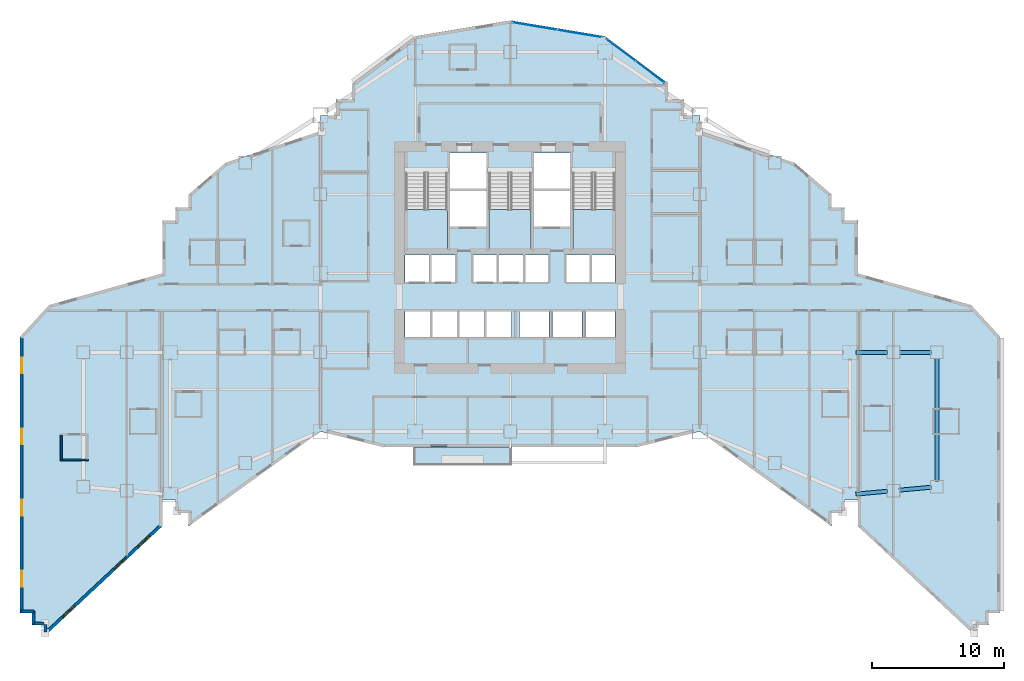
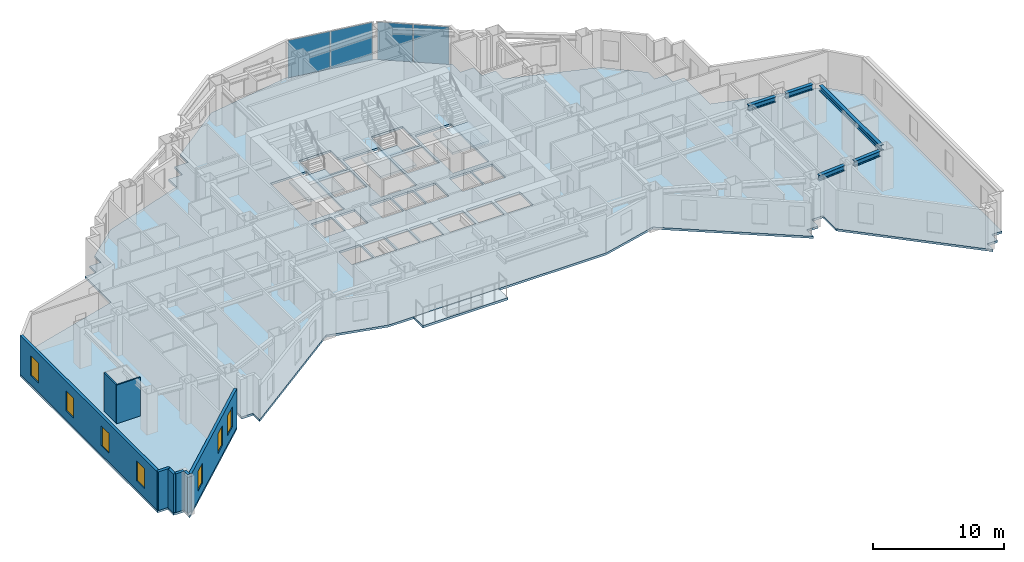
# One storey, part 6 of 16: 8 walls, 7 windows, 5 beams, 5 slabs, 4 plates, 7 openings, 5 elements without a shape of their own.
"""IFC4 building model written with IfcOpenShell, lengths in metres."""

from ifc_helpers import new_model, si_unit, direction, frame, frame_2d, origin, origin_2d, place, context, subcontext, project, spatial, polyline, rectangle, i_section, outline, extrude, material, layer, layer_set, material_profile, profile_set, type_object, element, fill, aggregate, save


model = new_model("IFC4")

# Units and contexts
model_context = context("Model", 3, precision=1e-05, world=origin(), true_north=direction((0.0, 1.0)))
body_context = subcontext(model_context, "Body", "Model", "MODEL_VIEW")
ifc_project = project(units=[si_unit("LENGTHUNIT", "METRE"), si_unit("AREAUNIT", "SQUARE_METRE"), si_unit("VOLUMEUNIT", "CUBIC_METRE"), si_unit("PLANEANGLEUNIT", "RADIAN"), si_unit("MASSUNIT", "GRAM", prefix="KILO")], contexts=[model_context])

# Site, building, storey
site_placement = place(None, origin())
site = spatial("IfcSite", under=ifc_project, at=site_placement, CompositionType="ELEMENT")
building_placement = place(site_placement, origin())
building = spatial("IfcBuilding", under=site, at=building_placement, Name="Haolan Belvedere Tower", CompositionType="ELEMENT")
storey_placement = place(building_placement, frame((0.0, 0.0, 78.0)))
storey = spatial("IfcBuildingStorey", under=building, at=storey_placement, Name="L19", CompositionType="ELEMENT", Elevation=78.0)

# Beams
ifc_material_1 = material(Name="Steel Q355B", Category="steel")
ifc_material_profile = material_profile(ifc_material_1, i_section(OverallWidth=0.300048828125, OverallDepth=0.488037109375, WebThickness=0.010986328125, FlangeThickness=0.01806640625, FilletRadius=0.02587890625, at=origin_2d()), Name="Steel Q355B")
ifc_profile_set = profile_set([ifc_material_profile], Name="Steel Q355B")
beam_type = type_object("IfcBeamType", Name="BM-HM488x300x11x18", PredefinedType="SPANDREL", material=ifc_profile_set)
beam_placement = place(storey_placement, frame((70.800048828125, 17.85009765625, 3.35595703125), z_axis=(0.0, 1.0, 0.0), x_axis=(-1.0, 0.0, 0.0)))
element("IfcBeam", 1, at=beam_placement, inside=storey, type_object=beam_type, Name="L19 spandrel girder MC-T5-SE-MC-T5-NE", PredefinedType="SPANDREL", context=body_context, shape_type="SweptSolid", body=[
    extrude(i_section(OverallWidth=0.300048828125, OverallDepth=0.488037109375, WebThickness=0.010986328125, FlangeThickness=0.01806640625, FilletRadius=0.02587890625, at=origin_2d()), origin(), (0.0, 0.0, 1.0), 9.2998046875),
])
for number, where, z_axis, x_axis, name in (
    (2, (64.648193359375, 16.8408203125, 3.35595703125), (0.995893206468, 0.090535746043, 0.0), (-0.090535746043, 0.995893206468, 0.0), "L19 spandrel girder MC-T4-SE-TC-T5-M1"),
    (3, (67.9482421875, 17.140625, 3.35595703125), (0.995884080761, 0.090636072764, 0.0), (-0.090636072764, 0.995884080761, 0.0), "L19 spandrel girder TC-T5-M1-MC-T5-SE"),
):
    element("IfcBeam", number, at=place(storey_placement, frame(where, z_axis=z_axis, x_axis=x_axis)), inside=storey, type_object=beam_type, Name=name, PredefinedType="SPANDREL", context=body_context, shape_type="SweptSolid", body=[
        extrude(i_section(OverallWidth=0.300048828125, OverallDepth=0.488037109375, WebThickness=0.010986328125, FlangeThickness=0.01806640625, FilletRadius=0.02587890625, at=origin_2d()), origin(), (0.0, 0.0, 1.0), 2.41357421875),
    ])
for number, where, z_axis, x_axis, name in (
    (4, (64.64990234375, 27.60009765625, 3.35595703125), (1.0, 0.0, 0.0), (0.0, 1.0, 0.0), "L19 spandrel girder MC-T4-ME-TC-T5-M2"),
    (5, (67.949951171875, 27.60009765625, 3.35595703125), (1.0, 0.0, 0.0), (0.0, 1.0, 0.0), "L19 spandrel girder TC-T5-M2-MC-T5-NE"),
):
    element("IfcBeam", number, at=place(storey_placement, frame(where, z_axis=z_axis, x_axis=x_axis)), inside=storey, type_object=beam_type, Name=name, PredefinedType="SPANDREL", context=body_context, shape_type="SweptSolid", body=[
        extrude(i_section(OverallWidth=0.300048828125, OverallDepth=0.488037109375, WebThickness=0.010986328125, FlangeThickness=0.01806640625, FilletRadius=0.02587890625, at=origin_2d()), origin(), (0.0, 0.0, 1.0), 2.400146484375),
    ])

# Curtain wall, plates
ifc_material_2 = material(Name="Anodised champagne-silver aluminium 6063-T6 and Low-E glass", Category="aluminium")
ifc_layer_1 = layer(ifc_material_2, 0.1650390625, Name="Anodised champagne-silver aluminium 6063-T6 and Low-E glass")
ifc_layer_set_1 = layer_set([ifc_layer_1], Name="Anodised champagne-silver aluminium 6063-T6 and Low-E glass")
curtain_wall_type = type_object("IfcCurtainWallType", Name="CW-SYS-02", PredefinedType="NOTDEFINED", material=ifc_layer_set_1)
curtain_wall_1_placement = place(storey_placement, origin())
curtain_wall_1 = element("IfcCurtainWall", 6, at=curtain_wall_1_placement, inside=storey, type_object=curtain_wall_type, Name="L19 CW-SYS-02 ribbon curtain wall 41.1", PredefinedType="NOTDEFINED")
ifc_material_3 = material(Name="Double silver Low-E laminated insulating glass", Category="glass")
ifc_layer_2 = layer(ifc_material_3, 0.02587890625, Name="Double silver Low-E laminated insulating glass")
ifc_layer_set_2 = layer_set([ifc_layer_2], Name="Double silver Low-E laminated insulating glass")
plate_type = type_object("IfcPlateType", Name="CW-SYS-02-PNL", PredefinedType="CURTAIN_PANEL", material=ifc_layer_set_2)
plate_1_placement = place(storey_placement, frame((49.02978515625, 48.877685546875, 0.05517578125), z_axis=(0.0, 0.0, 1.0), x_axis=(-0.800004262313, 0.599994316874, 0.0)))
plate_1 = element("IfcPlate", 7, at=plate_1_placement, type_object=plate_type, Name="CW-02 panel 1.1", PredefinedType="CURTAIN_PANEL", context=body_context, shape_type="SweptSolid", body=[
    extrude(rectangle(XDim=2.725341796875, YDim=0.02587890625, at=origin_2d()), origin(), (0.0, 0.0, 1.0), 3.489990234375),
])
plate_2_placement = place(storey_placement, frame((46.801513671875, 50.548828125, 0.05517578125), z_axis=(0.0, 0.0, 1.0), x_axis=(-0.800004262313, 0.599994316874, 0.0)))
plate_2 = element("IfcPlate", 8, at=plate_2_placement, type_object=plate_type, Name="CW-02 panel 2.1", PredefinedType="CURTAIN_PANEL", context=body_context, shape_type="SweptSolid", body=[
    extrude(rectangle(XDim=2.725341796875, YDim=0.02587890625, at=origin_2d()), origin(), (0.0, 0.0, 1.0), 3.489990234375),
])
aggregate(curtain_wall_1, [plate_1, plate_2])

curtain_wall_2_placement = place(storey_placement, origin())
curtain_wall_2 = element("IfcCurtainWall", 9, at=curtain_wall_2_placement, inside=storey, type_object=curtain_wall_type, Name="L19 CW-SYS-02 ribbon curtain wall 42.1", PredefinedType="NOTDEFINED")
plate_3_placement = place(storey_placement, frame((43.6796875, 51.79833984375, 0.05517578125), z_axis=(0.0, 0.0, 1.0), x_axis=(-0.9863931483, 0.16440364043, 0.0)))
plate_3 = element("IfcPlate", 10, at=plate_3_placement, type_object=plate_type, Name="CW-02 panel 1.1", PredefinedType="CURTAIN_PANEL", context=body_context, shape_type="SweptSolid", body=[
    extrude(rectangle(XDim=3.39501953125, YDim=0.02587890625, at=origin_2d()), origin(), (0.0, 0.0, 1.0), 3.489990234375),
])
plate_4_placement = place(storey_placement, frame((40.271728515625, 52.366455078125, 0.05517578125), z_axis=(0.0, 0.0, 1.0), x_axis=(-0.9863931483, 0.16440364043, 0.0)))
plate_4 = element("IfcPlate", 11, at=plate_4_placement, type_object=plate_type, Name="CW-02 panel 2.1", PredefinedType="CURTAIN_PANEL", context=body_context, shape_type="SweptSolid", body=[
    extrude(rectangle(XDim=3.39501953125, YDim=0.02587890625, at=origin_2d()), origin(), (0.0, 0.0, 1.0), 3.489990234375),
])
aggregate(curtain_wall_2, [plate_3, plate_4])

# Slabs
ifc_material_4 = material(Name="Concrete C40/50", Category="concrete")
ifc_layer_3 = layer(ifc_material_4, 0.2099609375, Name="Concrete C40/50")
ifc_layer_set_3 = layer_set([ifc_layer_3], Name="Concrete C40/50")
slab_type_1 = type_object("IfcSlabType", Name="SL-BAL-210", PredefinedType="FLOOR", material=ifc_layer_set_3)
slab_1_placement = place(storey_placement, frame((0.0, 0.0, -0.22998046875)))
element("IfcSlab", 12, at=slab_1_placement, inside=storey, type_object=slab_type_1, Name="L19 structural tree-planter balcony slab BAL-L19-S1", PredefinedType="FLOOR", context=body_context, shape_type="SweptSolid", body=[
    extrude(outline(polyline([(31.050048828125, 19.02001953125), (38.550048828125, 19.02001953125), (38.550048828125, 20.39990234375), (31.050048828125, 20.39990234375), (31.050048828125, 19.02001953125)])), origin(), (0.0, 0.0, 1.0), 0.2099609375),
])
ifc_layer_4 = layer(ifc_material_4, 0.199951171875, Name="Concrete C40/50")
ifc_layer_set_4 = layer_set([ifc_layer_4], Name="Concrete C40/50")
slab_type_2 = type_object("IfcSlabType", Name="SL-FLR-200", PredefinedType="FLOOR", material=ifc_layer_set_4)
slab_2_placement = place(storey_placement, frame((0.0, 0.0, -0.199951171875)))
element("IfcSlab", 13, at=slab_2_placement, inside=storey, type_object=slab_type_2, Name="L19 structural floor slab", PredefinedType="FLOOR", context=body_context, shape_type="SweptSolid", body=[
    extrude(outline(polyline([(1.199951171875, 28.800048828125), (1.199951171875, 8.39990234375), (1.199951171875, 7.800048828125), (2.10009765625, 7.800048828125), (2.10009765625, 6.89990234375), (3.0, 6.89990234375), (3.0, 6.0), (12.0, 14.39990234375), (12.0, 16.39990234375), (13.0, 16.39990234375), (13.0, 15.39990234375), (14.0, 15.39990234375), (14.0, 14.39990234375), (24.0, 21.60009765625), (28.800048828125, 20.39990234375), (48.0, 20.39990234375), (52.800048828125, 21.60009765625), (62.800048828125, 14.39990234375), (62.800048828125, 15.39990234375), (63.800048828125, 15.39990234375), (63.800048828125, 16.39990234375), (64.800048828125, 16.39990234375), (64.800048828125, 14.39990234375), (73.800048828125, 6.0), (73.800048828125, 6.89990234375), (74.699951171875, 6.89990234375), (74.699951171875, 7.800048828125), (75.60009765625, 7.800048828125), (75.60009765625, 28.800048828125), (73.39990234375, 31.199951171875), (64.800048828125, 33.60009765625), (64.800048828125, 37.60009765625), (63.800048828125, 37.60009765625), (63.800048828125, 38.60009765625), (62.800048828125, 38.60009765625), (62.800048828125, 39.60009765625), (60.0, 42.0), (52.800048828125, 44.39990234375), (52.800048828125, 45.60009765625), (51.60009765625, 45.60009765625), (51.60009765625, 46.800048828125), (50.39990234375, 46.800048828125), (50.39990234375, 48.0), (45.60009765625, 51.60009765625), (38.39990234375, 52.800048828125), (31.199951171875, 51.60009765625), (26.39990234375, 48.0), (26.39990234375, 46.800048828125), (25.199951171875, 46.800048828125), (25.199951171875, 45.60009765625), (24.0, 45.60009765625), (24.0, 44.39990234375), (16.800048828125, 42.0), (14.0, 39.60009765625), (14.0, 38.60009765625), (13.0, 38.60009765625), (13.0, 37.60009765625), (12.0, 37.60009765625), (12.0, 33.60009765625), (3.39990234375, 31.199951171875), (1.199951171875, 28.800048828125)]), holes=[polyline([(30.449951171875, 41.22998046875), (30.449951171875, 35.449951171875), (33.6298828125, 35.449951171875), (33.6298828125, 41.22998046875), (30.449951171875, 41.22998046875)]), polyline([(36.81005859375, 41.22998046875), (36.81005859375, 35.449951171875), (39.989990234375, 35.449951171875), (39.989990234375, 41.22998046875), (36.81005859375, 41.22998046875)]), polyline([(43.169921875, 41.22998046875), (43.169921875, 35.449951171875), (46.35009765625, 35.449951171875), (46.35009765625, 41.22998046875), (43.169921875, 41.22998046875)]), polyline([(33.830078125, 40.050048828125), (36.610107421875, 40.050048828125), (36.610107421875, 42.75), (33.830078125, 42.75), (33.830078125, 40.050048828125)]), polyline([(33.830078125, 37.14990234375), (36.610107421875, 37.14990234375), (36.610107421875, 39.85009765625), (33.830078125, 39.85009765625), (33.830078125, 37.14990234375)]), polyline([(40.18994140625, 40.050048828125), (42.969970703125, 40.050048828125), (42.969970703125, 42.75), (40.18994140625, 42.75), (40.18994140625, 40.050048828125)]), polyline([(40.18994140625, 37.14990234375), (42.969970703125, 37.14990234375), (42.969970703125, 39.85009765625), (40.18994140625, 39.85009765625), (40.18994140625, 37.14990234375)]), polyline([(30.419921875, 32.949951171875), (32.27001953125, 32.949951171875), (32.27001953125, 35.0), (30.419921875, 35.0), (30.419921875, 32.949951171875)]), polyline([(32.409912109375, 32.949951171875), (34.260009765625, 32.949951171875), (34.260009765625, 35.0), (32.409912109375, 35.0), (32.409912109375, 32.949951171875)]), polyline([(35.56005859375, 32.949951171875), (37.409912109375, 32.949951171875), (37.409912109375, 35.0), (35.56005859375, 35.0), (35.56005859375, 32.949951171875)]), polyline([(37.550048828125, 32.949951171875), (39.39990234375, 32.949951171875), (39.39990234375, 35.0), (37.550048828125, 35.0), (37.550048828125, 32.949951171875)]), polyline([(39.5400390625, 32.949951171875), (41.389892578125, 32.949951171875), (41.389892578125, 35.0), (39.5400390625, 35.0), (39.5400390625, 32.949951171875)]), polyline([(42.6201171875, 32.949951171875), (44.469970703125, 32.949951171875), (44.469970703125, 35.0), (42.6201171875, 35.0), (42.6201171875, 32.949951171875)]), polyline([(44.580078125, 32.949951171875), (46.3798828125, 32.949951171875), (46.3798828125, 35.0), (44.580078125, 35.0), (44.580078125, 32.949951171875)]), polyline([(30.419921875, 28.75), (32.320068359375, 28.75), (32.320068359375, 30.75), (30.419921875, 30.75), (30.419921875, 28.75)]), polyline([(32.47998046875, 28.75), (34.3798828125, 28.75), (34.3798828125, 30.75), (32.47998046875, 30.75), (32.47998046875, 28.75)]), polyline([(34.5400390625, 28.75), (36.43994140625, 28.75), (36.43994140625, 30.75), (34.5400390625, 30.75), (34.5400390625, 28.75)]), polyline([(36.60009765625, 28.75), (38.5, 28.75), (38.5, 30.75), (36.60009765625, 30.75), (36.60009765625, 28.75)]), polyline([(39.10009765625, 28.75), (41.340087890625, 28.75), (41.340087890625, 30.75), (39.10009765625, 30.75), (39.10009765625, 28.75)]), polyline([(41.610107421875, 28.75), (43.85009765625, 28.75), (43.85009765625, 30.75), (41.610107421875, 30.75), (41.610107421875, 28.75)]), polyline([(44.1201171875, 28.75), (46.360107421875, 28.75), (46.360107421875, 30.75), (44.1201171875, 30.75), (44.1201171875, 28.75)])]), origin(), (0.0, 0.0, 1.0), 0.199951171875),
])

# Stair, slab
stair_type = type_object("IfcStairType", Name="STR-DL-22R-173", PredefinedType="HALF_TURN_STAIR", material=ifc_material_4)
stair_1_placement = place(storey_placement, origin())
stair_1 = element("IfcStair", 14, at=stair_1_placement, inside=storey, type_object=stair_type, Name="L19 Smokeproof Core Exit Stair ST1", PredefinedType="HALF_TURN_STAIR")
ifc_layer_5 = layer(ifc_material_4, 0.199951171875, Name="Concrete C40/50")
ifc_layer_set_5 = layer_set([ifc_layer_5], Name="Concrete C40/50")
slab_type_3 = type_object("IfcSlabType", Name="SL-LAND-200", PredefinedType="LANDING", material=ifc_layer_set_5)
slab_3_placement = place(storey_placement, frame((0.0, 0.0, 1.699951171875)))
slab_3 = element("IfcSlab", 15, at=slab_3_placement, type_object=slab_type_3, Name="ST1 landing 1", PredefinedType="LANDING", context=body_context, shape_type="SweptSolid", body=[
    extrude(outline(polyline([(30.449951171875, 38.429931640625), (30.449951171875, 35.449951171875), (33.6298828125, 35.449951171875), (33.6298828125, 38.429931640625), (30.449951171875, 38.429931640625)])), origin(), (0.0, 0.0, 1.0), 0.199951171875),
])
aggregate(stair_1, [slab_3])

stair_2_placement = place(storey_placement, origin())
stair_2 = element("IfcStair", 16, at=stair_2_placement, inside=storey, type_object=stair_type, Name="L19 Smokeproof Core Exit Stair ST3", PredefinedType="HALF_TURN_STAIR")
slab_4_placement = place(storey_placement, frame((0.0, 0.0, 1.699951171875)))
slab_4 = element("IfcSlab", 17, at=slab_4_placement, type_object=slab_type_3, Name="ST3 landing 1", PredefinedType="LANDING", context=body_context, shape_type="SweptSolid", body=[
    extrude(outline(polyline([(36.81005859375, 38.429931640625), (36.81005859375, 35.449951171875), (39.989990234375, 35.449951171875), (39.989990234375, 38.429931640625), (36.81005859375, 38.429931640625)])), origin(), (0.0, 0.0, 1.0), 0.199951171875),
])
aggregate(stair_2, [slab_4])

stair_3_placement = place(storey_placement, origin())
stair_3 = element("IfcStair", 18, at=stair_3_placement, inside=storey, type_object=stair_type, Name="L19 Smokeproof Core Exit Stair ST2", PredefinedType="HALF_TURN_STAIR")
slab_5_placement = place(storey_placement, frame((0.0, 0.0, 1.699951171875)))
slab_5 = element("IfcSlab", 19, at=slab_5_placement, type_object=slab_type_3, Name="ST2 landing 1", PredefinedType="LANDING", context=body_context, shape_type="SweptSolid", body=[
    extrude(outline(polyline([(43.169921875, 38.429931640625), (43.169921875, 35.449951171875), (46.35009765625, 35.449951171875), (46.35009765625, 38.429931640625), (43.169921875, 38.429931640625)])), origin(), (0.0, 0.0, 1.0), 0.199951171875),
])
aggregate(stair_3, [slab_5])

# Walls
ifc_material_5 = material(Name="Precast concrete C40/50", Category="concrete")
ifc_layer_6 = layer(ifc_material_5, 0.239990234375, Name="Precast concrete C40/50")
ifc_layer_set_6 = layer_set([ifc_layer_6], Name="Precast concrete C40/50")
wall_type_1 = type_object("IfcWallType", Name="WL-EXT-240", PredefinedType="SOLIDWALL", material=ifc_layer_set_6)
for number, where, z_axis, x_axis, name in (
    (20, (1.264892578125, 7.919921875, 0.0), (0.0, 0.0, 1.0), (1.0, 0.0, 0.0), "L19 pale-metal exterior spandrel wall 1.1"),
    (21, (2.219970703125, 7.97509765625, 0.0), (0.0, 0.0, 1.0), (0.0, -1.0, 0.0), "L19 pale-metal exterior spandrel wall 2.1"),
):
    element("IfcWall", number, at=place(storey_placement, frame(where, z_axis=z_axis, x_axis=x_axis)), inside=storey, type_object=wall_type_1, Name=name, PredefinedType="SOLIDWALL", context=body_context, shape_type="SweptSolid", body=[
        extrude(rectangle(XDim=1.010009765625, YDim=0.239990234375, at=frame_2d((0.5048828125, 0.0))), origin(), (0.0, 0.0, 1.0), 3.60009765625),
    ])
wall_1_placement = place(storey_placement, frame((2.300048828125, 7.02001953125, 0.0), z_axis=(0.0, 0.0, 1.0), x_axis=(1.0, 0.0, 0.0)))
element("IfcWall", 22, at=wall_1_placement, inside=storey, type_object=wall_type_1, Name="L19 pale-metal exterior spandrel wall 3.1", PredefinedType="SOLIDWALL", context=body_context, shape_type="SweptSolid", body=[
    extrude(rectangle(XDim=0.73486328125, YDim=0.239990234375, at=frame_2d((0.367431640625, 0.0))), origin(), (0.0, 0.0, 1.0), 3.60009765625),
])
wall_2_placement = place(storey_placement, frame((3.1201171875, 6.93505859375, 0.0), z_axis=(0.0, 0.0, 1.0), x_axis=(0.0, -1.0, 0.0)))
element("IfcWall", 23, at=wall_2_placement, inside=storey, type_object=wall_type_1, Name="L19 pale-metal exterior spandrel wall 4.1", PredefinedType="SOLIDWALL", context=body_context, shape_type="SweptSolid", body=[
    extrude(rectangle(XDim=0.573974609375, YDim=0.239990234375, at=frame_2d((0.287109375, 0.0))), origin(), (0.0, 0.0, 1.0), 3.60009765625),
])

# Wall, openings, windows
wall_3_placement = place(storey_placement, frame((3.269775390625, 6.416015625, 0.0), z_axis=(0.0, 0.0, 1.0), x_axis=(0.731064187858, 0.682308693505, 0.0)))
wall_3 = element("IfcWall", 24, at=wall_3_placement, inside=storey, type_object=wall_type_1, Name="L19 pale-metal exterior spandrel wall 5.1", PredefinedType="SOLIDWALL", context=body_context, shape_type="SweptSolid", body=[
    extrude(rectangle(XDim=11.83251953125, YDim=0.239990234375, at=frame_2d((5.916259765625, 0.0))), origin(), (0.0, 0.0, 1.0), 3.60009765625),
])
opening_1_placement = place(wall_3_placement, frame((1.60009765625, 0.0, 0.85009765625)))
opening_1 = element("IfcOpeningElement", 25, at=opening_1_placement, cuts=wall_3, Name="Opening W-01", PredefinedType="OPENING", context=body_context, shape_type="SweptSolid", body=[
    extrude(rectangle(XDim=1.199951171875, YDim=1.85009765625, at=frame_2d((0.60009765625, 0.925048828125))), frame((0.0, 0.1298828125, 0.0), z_axis=(0.0, -1.0, 0.0), x_axis=(1.0, 0.0, 0.0)), (0.0, 0.0, 1.0), 0.260009765625),
])
opening_2_placement = place(wall_3_placement, frame((6.91162109375, 0.0, 0.85009765625)))
opening_2 = element("IfcOpeningElement", 26, at=opening_2_placement, cuts=wall_3, Name="Opening W-01", PredefinedType="OPENING", context=body_context, shape_type="SweptSolid", body=[
    extrude(rectangle(XDim=1.199951171875, YDim=1.85009765625, at=frame_2d((0.60009765625, 0.925048828125))), frame((0.0, 0.1298828125, 0.0), z_axis=(0.0, -1.0, 0.0), x_axis=(1.0, 0.0, 0.0)), (0.0, 0.0, 1.0), 0.260009765625),
])
opening_3_placement = place(wall_3_placement, frame((9.4208984375, 0.0, 0.85009765625)))
opening_3 = element("IfcOpeningElement", 27, at=opening_3_placement, cuts=wall_3, Name="Opening W-01", PredefinedType="OPENING", context=body_context, shape_type="SweptSolid", body=[
    extrude(rectangle(XDim=1.199951171875, YDim=1.85009765625, at=frame_2d((0.60009765625, 0.925048828125))), frame((0.0, 0.1298828125, 0.0), z_axis=(0.0, -1.0, 0.0), x_axis=(1.0, 0.0, 0.0)), (0.0, 0.0, 1.0), 0.260009765625),
])
ifc_material_6 = material(Name="Anodised aluminium 6063-T6 and Low-E glass", Category="aluminium")
window_type = type_object("IfcWindowType", Name="WN-DECO-Z1", PartitioningType="SINGLE_PANEL", PredefinedType="WINDOW", material=ifc_material_6)
window_1_placement = place(opening_1_placement, origin())
window_1 = element("IfcWindow", 28, at=window_1_placement, inside=storey, type_object=window_type, Name="L19 Art Deco chevron window 1", OverallHeight=1.85009765625, OverallWidth=1.199951171875, PartitioningType="SINGLE_PANEL", PredefinedType="WINDOW", context=body_context, shape_type="SweptSolid", body=[
    extrude(rectangle(XDim=1.199951171875, YDim=1.85009765625, at=frame_2d((0.60009765625, 0.925048828125))), frame((0.0, 0.030029296875, 0.0), z_axis=(0.0, -1.0, 0.0), x_axis=(1.0, 0.0, 0.0)), (0.0, 0.0, 1.0), 0.06005859375),
])
fill(opening_1, window_1)
window_2_placement = place(opening_2_placement, origin())
window_2 = element("IfcWindow", 29, at=window_2_placement, inside=storey, type_object=window_type, Name="L19 Art Deco chevron window 2", OverallHeight=1.85009765625, OverallWidth=1.199951171875, PartitioningType="SINGLE_PANEL", PredefinedType="WINDOW", context=body_context, shape_type="SweptSolid", body=[
    extrude(rectangle(XDim=1.199951171875, YDim=1.85009765625, at=frame_2d((0.60009765625, 0.925048828125))), frame((0.0, 0.030029296875, 0.0), z_axis=(0.0, -1.0, 0.0), x_axis=(1.0, 0.0, 0.0)), (0.0, 0.0, 1.0), 0.06005859375),
])
fill(opening_2, window_2)
window_3_placement = place(opening_3_placement, origin())
window_3 = element("IfcWindow", 30, at=window_3_placement, inside=storey, type_object=window_type, Name="L19 Art Deco guestroom window 4", OverallHeight=1.85009765625, OverallWidth=1.199951171875, PartitioningType="SINGLE_PANEL", PredefinedType="WINDOW", context=body_context, shape_type="SweptSolid", body=[
    extrude(rectangle(XDim=1.199951171875, YDim=1.85009765625, at=frame_2d((0.60009765625, 0.925048828125))), frame((0.0, 0.030029296875, 0.0), z_axis=(0.0, -1.0, 0.0), x_axis=(1.0, 0.0, 0.0)), (0.0, 0.0, 1.0), 0.06005859375),
])
fill(opening_3, window_3)

wall_4_placement = place(storey_placement, frame((1.320068359375, 28.808349609375, 0.0), z_axis=(0.0, 0.0, 1.0), x_axis=(0.0, -1.0, 0.0)))
wall_4 = element("IfcWall", 31, at=wall_4_placement, inside=storey, type_object=wall_type_1, Name="L19 pale-metal exterior spandrel wall 59.1", PredefinedType="SOLIDWALL", context=body_context, shape_type="SweptSolid", body=[
    extrude(rectangle(XDim=20.943359375, YDim=0.239990234375, at=frame_2d((10.4716796875, 0.0))), origin(), (0.0, 0.0, 1.0), 3.60009765625),
])
opening_4_placement = place(wall_4_placement, frame((1.60009765625, 0.0, 0.85009765625)))
opening_4 = element("IfcOpeningElement", 32, at=opening_4_placement, cuts=wall_4, Name="Opening W-01", PredefinedType="OPENING", context=body_context, shape_type="SweptSolid", body=[
    extrude(rectangle(XDim=1.199951171875, YDim=1.85009765625, at=frame_2d((0.60009765625, 0.925048828125))), frame((0.0, 0.1298828125, 0.0), z_axis=(0.0, -1.0, 0.0), x_axis=(1.0, 0.0, 0.0)), (0.0, 0.0, 1.0), 0.260009765625),
])
opening_5_placement = place(wall_4_placement, frame((7.0, 0.0, 0.85009765625)))
opening_5 = element("IfcOpeningElement", 33, at=opening_5_placement, cuts=wall_4, Name="Opening W-01", PredefinedType="OPENING", context=body_context, shape_type="SweptSolid", body=[
    extrude(rectangle(XDim=1.199951171875, YDim=1.85009765625, at=frame_2d((0.60009765625, 0.925048828125))), frame((0.0, 0.1298828125, 0.0), z_axis=(0.0, -1.0, 0.0), x_axis=(1.0, 0.0, 0.0)), (0.0, 0.0, 1.0), 0.260009765625),
])
opening_6_placement = place(wall_4_placement, frame((12.39990234375, 0.0, 0.85009765625)))
opening_6 = element("IfcOpeningElement", 34, at=opening_6_placement, cuts=wall_4, Name="Opening W-01", PredefinedType="OPENING", context=body_context, shape_type="SweptSolid", body=[
    extrude(rectangle(XDim=1.199951171875, YDim=1.85009765625, at=frame_2d((0.60009765625, 0.925048828125))), frame((0.0, 0.1298828125, 0.0), z_axis=(0.0, -1.0, 0.0), x_axis=(1.0, 0.0, 0.0)), (0.0, 0.0, 1.0), 0.260009765625),
])
opening_7_placement = place(wall_4_placement, frame((17.800048828125, 0.0, 0.85009765625)))
opening_7 = element("IfcOpeningElement", 35, at=opening_7_placement, cuts=wall_4, Name="Opening W-01", PredefinedType="OPENING", context=body_context, shape_type="SweptSolid", body=[
    extrude(rectangle(XDim=1.199951171875, YDim=1.85009765625, at=frame_2d((0.60009765625, 0.925048828125))), frame((0.0, 0.1298828125, 0.0), z_axis=(0.0, -1.0, 0.0), x_axis=(1.0, 0.0, 0.0)), (0.0, 0.0, 1.0), 0.260009765625),
])
window_4_placement = place(opening_4_placement, origin())
window_4 = element("IfcWindow", 36, at=window_4_placement, inside=storey, type_object=window_type, Name="L19 Art Deco chevron window 1", OverallHeight=1.85009765625, OverallWidth=1.199951171875, PartitioningType="SINGLE_PANEL", PredefinedType="WINDOW", context=body_context, shape_type="SweptSolid", body=[
    extrude(rectangle(XDim=1.199951171875, YDim=1.85009765625, at=frame_2d((0.60009765625, 0.925048828125))), frame((0.0, 0.030029296875, 0.0), z_axis=(0.0, -1.0, 0.0), x_axis=(1.0, 0.0, 0.0)), (0.0, 0.0, 1.0), 0.06005859375),
])
fill(opening_4, window_4)
window_5_placement = place(opening_5_placement, origin())
window_5 = element("IfcWindow", 37, at=window_5_placement, inside=storey, type_object=window_type, Name="L19 Art Deco chevron window 2", OverallHeight=1.85009765625, OverallWidth=1.199951171875, PartitioningType="SINGLE_PANEL", PredefinedType="WINDOW", context=body_context, shape_type="SweptSolid", body=[
    extrude(rectangle(XDim=1.199951171875, YDim=1.85009765625, at=frame_2d((0.60009765625, 0.925048828125))), frame((0.0, 0.030029296875, 0.0), z_axis=(0.0, -1.0, 0.0), x_axis=(1.0, 0.0, 0.0)), (0.0, 0.0, 1.0), 0.06005859375),
])
fill(opening_5, window_5)
window_6_placement = place(opening_6_placement, origin())
window_6 = element("IfcWindow", 38, at=window_6_placement, inside=storey, type_object=window_type, Name="L19 Art Deco chevron window 3", OverallHeight=1.85009765625, OverallWidth=1.199951171875, PartitioningType="SINGLE_PANEL", PredefinedType="WINDOW", context=body_context, shape_type="SweptSolid", body=[
    extrude(rectangle(XDim=1.199951171875, YDim=1.85009765625, at=frame_2d((0.60009765625, 0.925048828125))), frame((0.0, 0.030029296875, 0.0), z_axis=(0.0, -1.0, 0.0), x_axis=(1.0, 0.0, 0.0)), (0.0, 0.0, 1.0), 0.06005859375),
])
fill(opening_6, window_6)
window_7_placement = place(opening_7_placement, origin())
window_7 = element("IfcWindow", 39, at=window_7_placement, inside=storey, type_object=window_type, Name="L19 Art Deco chevron window 4", OverallHeight=1.85009765625, OverallWidth=1.199951171875, PartitioningType="SINGLE_PANEL", PredefinedType="WINDOW", context=body_context, shape_type="SweptSolid", body=[
    extrude(rectangle(XDim=1.199951171875, YDim=1.85009765625, at=frame_2d((0.60009765625, 0.925048828125))), frame((0.0, 0.030029296875, 0.0), z_axis=(0.0, -1.0, 0.0), x_axis=(1.0, 0.0, 0.0)), (0.0, 0.0, 1.0), 0.06005859375),
])
fill(opening_7, window_7)

# Walls
ifc_material_7 = material(Name="Moisture-resistant gypsum tile partition", Category="masonry")
ifc_layer_7 = layer(ifc_material_7, 0.1201171875, Name="Moisture-resistant gypsum tile partition")
ifc_layer_set_7 = layer_set([ifc_layer_7], Name="Moisture-resistant gypsum tile partition")
wall_type_2 = type_object("IfcWallType", Name="WL-WET-120", PredefinedType="PARTITIONING", material=ifc_layer_set_7)
wall_5_placement = place(storey_placement, frame((4.264892578125, 19.444091796875, 0.0), z_axis=(0.0, 0.0, 1.0), x_axis=(1.0, 0.0, 0.0)))
element("IfcWall", 40, at=wall_5_placement, inside=storey, type_object=wall_type_2, Name="L19 interior partition IW-L19-T1S1-BS", PredefinedType="PARTITIONING", context=body_context, shape_type="SweptSolid", body=[
    extrude(rectangle(XDim=2.10009765625, YDim=0.1201171875, at=frame_2d((1.050048828125, 0.0))), origin(), (0.0, 0.0, 1.0), 3.60009765625),
])
wall_6_placement = place(storey_placement, frame((4.324951171875, 19.489013671875, 0.0), z_axis=(0.0, 0.0, 1.0), x_axis=(0.0, 1.0, 0.0)))
element("IfcWall", 41, at=wall_6_placement, inside=storey, type_object=wall_type_2, Name="L19 interior partition IW-L19-T1S1-BW", PredefinedType="PARTITIONING", context=body_context, shape_type="SweptSolid", body=[
    extrude(rectangle(XDim=1.830078125, YDim=0.1201171875, at=frame_2d((0.9150390625, 0.0))), origin(), (0.0, 0.0, 1.0), 3.60009765625),
])

save(model, "model.ifc")
